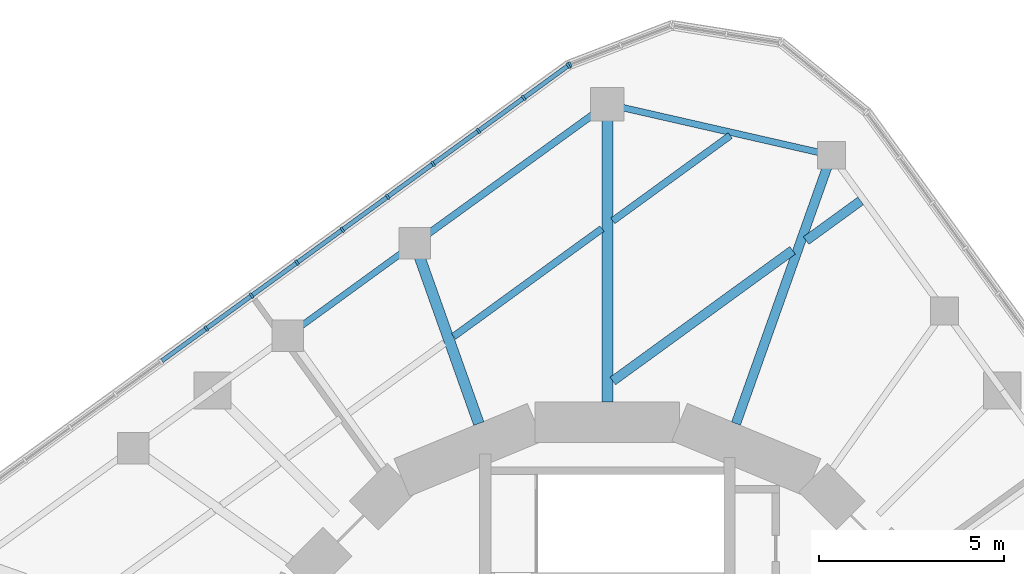
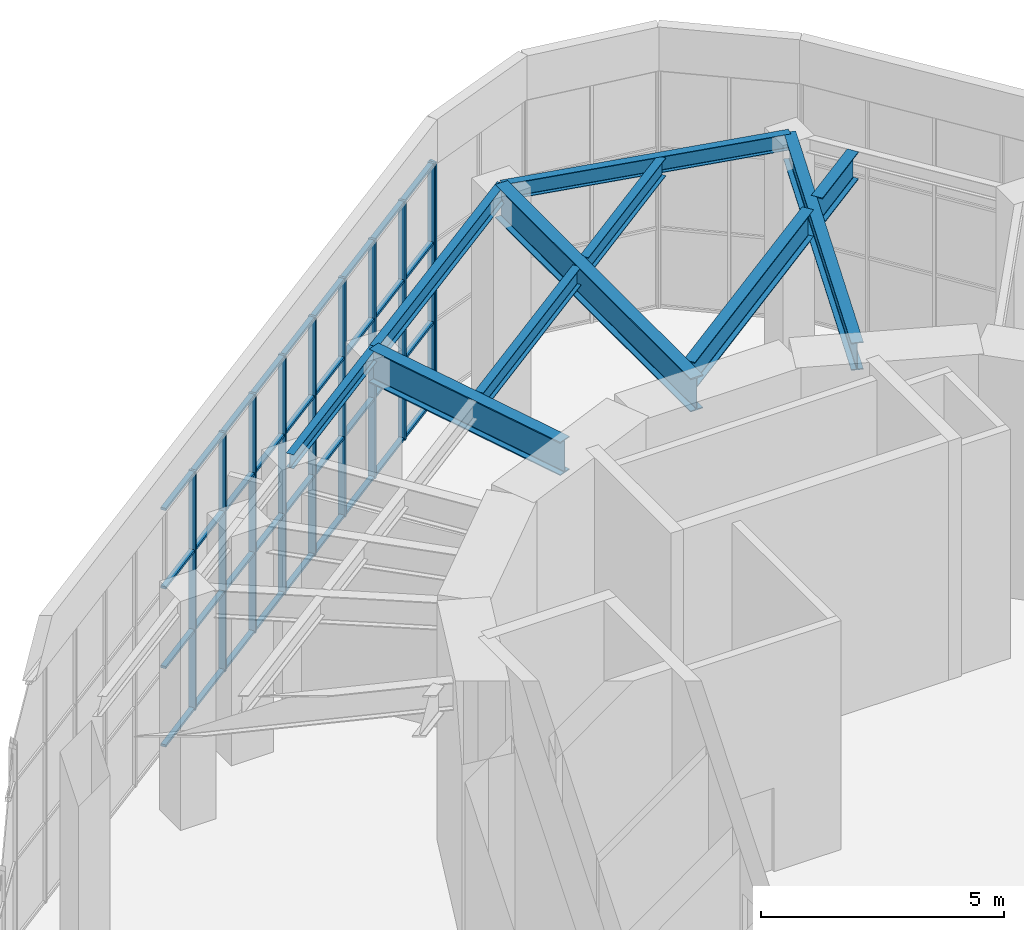
# One storey, part 9 of 17: 46 members, 10 beams, 2 elements without a shape of their own.
"""IFC4 building model written with IfcOpenShell, lengths in metres."""

from ifc_helpers import new_model, si_unit, direction, frame, origin, origin_2d, place, context, subcontext, project, spatial, rectangle, i_section, extrude, material, material_profile, profile_set, type_object, element, aggregate, save


model = new_model("IFC4")

# Units and contexts
model_context = context("Model", 3, precision=1e-05, world=origin(), true_north=direction((0.0, 1.0)))
body_context = subcontext(model_context, "Body", "Model", "MODEL_VIEW")
ifc_project = project(units=[si_unit("LENGTHUNIT", "METRE"), si_unit("AREAUNIT", "SQUARE_METRE"), si_unit("VOLUMEUNIT", "CUBIC_METRE"), si_unit("PLANEANGLEUNIT", "RADIAN"), si_unit("MASSUNIT", "GRAM", prefix="KILO")], contexts=[model_context])

# Site, building, storey
site_placement = place(None, origin())
site = spatial("IfcSite", under=ifc_project, at=site_placement, CompositionType="ELEMENT")
building_placement = place(site_placement, origin())
building = spatial("IfcBuilding", under=site, at=building_placement, Name="Nakasero Lantern House", CompositionType="ELEMENT")
storey_placement = place(building_placement, frame((0.0, 0.0, 304.39990234375)))
storey = spatial("IfcBuildingStorey", under=building, at=storey_placement, Name="L74", CompositionType="ELEMENT", Elevation=304.39990234375)

# Beams
ifc_material_1 = material(Name="Steel S355", Category="steel")
ifc_material_profile_1 = material_profile(ifc_material_1, i_section(OverallWidth=0.19140625, OverallDepth=0.4599609375, WebThickness=0.010009765625, FlangeThickness=0.01611328125, FilletRadius=0.01025390625, at=origin_2d()), Name="UB 457x191x82")
ifc_profile_set_1 = profile_set([ifc_material_profile_1], Name="Steel S355")
beam_type_1 = type_object("IfcBeamType", Name="Infill beam UB 457x191x82", PredefinedType="JOIST", material=ifc_profile_set_1)
beam_1_placement = place(storey_placement, frame((-4.1552734375, 12.122802734375, 5.52001953125), z_axis=(0.809006565484, 0.587799606162, 0.0), x_axis=(-0.587799606162, 0.809006565484, 0.0)))
element("IfcBeam", 1, at=beam_1_placement, inside=storey, type_object=beam_type_1, Name="Infill beam ROOF 10.6", PredefinedType="JOIST", context=body_context, shape_type="SweptSolid", body=[
    extrude(i_section(OverallWidth=0.19140625, OverallDepth=0.4599609375, WebThickness=0.010009765625, FlangeThickness=0.01611328125, FilletRadius=0.01025390625, at=origin_2d()), origin(), (0.0, 0.0, 1.0), 4.95556640625),
])
beam_2_placement = place(storey_placement, frame((0.146240234375, 15.248046875, 5.52001953125), z_axis=(0.809010699188, 0.587793916777, 0.0), x_axis=(-0.587793916777, 0.809010699188, 0.0)))
element("IfcBeam", 2, at=beam_2_placement, inside=storey, type_object=beam_type_1, Name="Infill beam ROOF 10.7", PredefinedType="JOIST", context=body_context, shape_type="SweptSolid", body=[
    extrude(i_section(OverallWidth=0.19140625, OverallDepth=0.4599609375, WebThickness=0.010009765625, FlangeThickness=0.01611328125, FilletRadius=0.01025390625, at=origin_2d()), origin(), (0.0, 0.0, 1.0), 3.920166015625),
])
ifc_material_2 = material(Name="Steel S355", Category="steel")
ifc_material_profile_2 = material_profile(ifc_material_2, i_section(OverallWidth=0.255859375, OverallDepth=0.69287109375, WebThickness=0.014404296875, FlangeThickness=0.023681640625, FilletRadius=0.01513671875, at=origin_2d()), Name="UB 686x254x170")
ifc_profile_set_2 = profile_set([ifc_material_profile_2], Name="Steel S355")
beam_type_2 = type_object("IfcBeamType", Name="Infill beam UB 686x254x170", PredefinedType="JOIST", material=ifc_profile_set_2)
beam_3_placement = place(storey_placement, frame((0.146240234375, 10.921875, 5.403564453125), z_axis=(0.809020946889, 0.587779812085, 0.0), x_axis=(-0.587779812085, 0.809020946889, 0.0)))
element("IfcBeam", 3, at=beam_3_placement, inside=storey, type_object=beam_type_2, Name="Infill beam ROOF 09.3", PredefinedType="JOIST", context=body_context, shape_type="SweptSolid", body=[
    extrude(i_section(OverallWidth=0.255859375, OverallDepth=0.69287109375, WebThickness=0.014404296875, FlangeThickness=0.023681640625, FilletRadius=0.01513671875, at=origin_2d()), origin(), (0.0, 0.0, 1.0), 6.001953125),
])
beam_4_placement = place(storey_placement, frame((5.367919921875, 14.715576171875, 5.403564453125), z_axis=(0.809025740158, 0.587773214566, 0.0), x_axis=(-0.587773214566, 0.809025740158, 0.0)))
element("IfcBeam", 4, at=beam_4_placement, inside=storey, type_object=beam_type_2, Name="Infill beam ROOF 09.4", PredefinedType="JOIST", context=body_context, shape_type="SweptSolid", body=[
    extrude(i_section(OverallWidth=0.255859375, OverallDepth=0.69287109375, WebThickness=0.014404296875, FlangeThickness=0.023681640625, FilletRadius=0.01513671875, at=origin_2d()), origin(), (0.0, 0.0, 1.0), 1.82177734375),
])

# Curtain wall, member
ifc_material_3 = material(Name="Aluminium 6063-T6 and glass", Category="aluminium")
curtain_wall_type = type_object("IfcCurtainWallType", Name="Lantern glazing CW-4", PredefinedType="USERDEFINED", material=ifc_material_3)
curtain_wall_1_placement = place(storey_placement, origin())
curtain_wall_1 = element("IfcCurtainWall", 5, at=curtain_wall_1_placement, inside=storey, type_object=curtain_wall_type, Name="Curtain wall CW-4 L74", ObjectType="UNITISED CURTAIN WALL", PredefinedType="USERDEFINED")
ifc_material_4 = material(Name="Aluminium 6063-T6", Category="aluminium")
ifc_material_profile_3 = material_profile(ifc_material_4, rectangle(XDim=0.06005859375, YDim=0.159912109375, at=origin_2d()), Name="CW-4 mullion 60x160")
ifc_profile_set_3 = profile_set([ifc_material_profile_3], Name="Aluminium 6063-T6")
member_type_1 = type_object("IfcMemberType", Name="Mullion CW-4", PredefinedType="MULLION", material=ifc_profile_set_3)
member_1_placement = place(storey_placement, frame((-1.006591796875, 19.46875, 0.0), z_axis=(0.0, 0.0, 1.0), x_axis=(-0.933580426497, -0.358367949545, 0.0)))
member_1 = element("IfcMember", 6, at=member_1_placement, type_object=member_type_1, Name="CW-4 mullion 3", PredefinedType="MULLION", context=body_context, shape_type="SweptSolid", body=[
    extrude(rectangle(XDim=0.06005859375, YDim=0.159912109375, at=origin_2d()), origin(), (0.0, 0.0, 1.0), 6.0),
])
aggregate(curtain_wall_1, [member_1])

# Curtain wall, members
curtain_wall_2_placement = place(storey_placement, origin())
curtain_wall_2 = element("IfcCurtainWall", 7, at=curtain_wall_2_placement, inside=storey, type_object=curtain_wall_type, Name="Curtain wall CW-4 L74", ObjectType="UNITISED CURTAIN WALL", PredefinedType="USERDEFINED")
member_2_placement = place(storey_placement, frame((-1.05908203125, 19.4404296875, 0.0), z_axis=(0.0, 0.0, 1.0), x_axis=(-0.809016994375, -0.587785252292, 0.0)))
member_2 = element("IfcMember", 8, at=member_2_placement, type_object=member_type_1, Name="CW-4 mullion 1", PredefinedType="MULLION", context=body_context, shape_type="SweptSolid", body=[
    extrude(rectangle(XDim=0.06005859375, YDim=0.159912109375, at=origin_2d()), origin(), (0.0, 0.0, 1.0), 6.0),
])
member_3_placement = place(storey_placement, frame((-2.259765625, 18.56787109375, 0.0), z_axis=(0.0, 0.0, 1.0), x_axis=(-0.809016994375, -0.587785252292, 0.0)))
member_3 = element("IfcMember", 9, at=member_3_placement, type_object=member_type_1, Name="CW-4 mullion 2", PredefinedType="MULLION", context=body_context, shape_type="SweptSolid", body=[
    extrude(rectangle(XDim=0.06005859375, YDim=0.159912109375, at=origin_2d()), origin(), (0.0, 0.0, 1.0), 6.0),
])
member_4_placement = place(storey_placement, frame((-3.48486328125, 17.677734375, 0.0), z_axis=(0.0, 0.0, 1.0), x_axis=(-0.809016994375, -0.587785252292, 0.0)))
member_4 = element("IfcMember", 10, at=member_4_placement, type_object=member_type_1, Name="CW-4 mullion 3", PredefinedType="MULLION", context=body_context, shape_type="SweptSolid", body=[
    extrude(rectangle(XDim=0.06005859375, YDim=0.159912109375, at=origin_2d()), origin(), (0.0, 0.0, 1.0), 6.0),
])
member_5_placement = place(storey_placement, frame((-4.7099609375, 16.787841796875, 0.0), z_axis=(0.0, 0.0, 1.0), x_axis=(-0.809016994375, -0.587785252292, 0.0)))
member_5 = element("IfcMember", 11, at=member_5_placement, type_object=member_type_1, Name="CW-4 mullion 4", PredefinedType="MULLION", context=body_context, shape_type="SweptSolid", body=[
    extrude(rectangle(XDim=0.06005859375, YDim=0.159912109375, at=origin_2d()), origin(), (0.0, 0.0, 1.0), 6.0),
])
member_6_placement = place(storey_placement, frame((-5.93505859375, 15.897705078125, 0.0), z_axis=(0.0, 0.0, 1.0), x_axis=(-0.809016994375, -0.587785252292, 0.0)))
member_6 = element("IfcMember", 12, at=member_6_placement, type_object=member_type_1, Name="CW-4 mullion 5", PredefinedType="MULLION", context=body_context, shape_type="SweptSolid", body=[
    extrude(rectangle(XDim=0.06005859375, YDim=0.159912109375, at=origin_2d()), origin(), (0.0, 0.0, 1.0), 6.0),
])
member_7_placement = place(storey_placement, frame((-7.16015625, 15.007568359375, 0.0), z_axis=(0.0, 0.0, 1.0), x_axis=(-0.809016994375, -0.587785252292, 0.0)))
member_7 = element("IfcMember", 13, at=member_7_placement, type_object=member_type_1, Name="CW-4 mullion 6", PredefinedType="MULLION", context=body_context, shape_type="SweptSolid", body=[
    extrude(rectangle(XDim=0.06005859375, YDim=0.159912109375, at=origin_2d()), origin(), (0.0, 0.0, 1.0), 6.0),
])
member_8_placement = place(storey_placement, frame((-8.38525390625, 14.117431640625, 0.0), z_axis=(0.0, 0.0, 1.0), x_axis=(-0.809016994375, -0.587785252292, 0.0)))
member_8 = element("IfcMember", 14, at=member_8_placement, type_object=member_type_1, Name="CW-4 mullion 7", PredefinedType="MULLION", context=body_context, shape_type="SweptSolid", body=[
    extrude(rectangle(XDim=0.06005859375, YDim=0.159912109375, at=origin_2d()), origin(), (0.0, 0.0, 1.0), 6.0),
])
member_9_placement = place(storey_placement, frame((-9.6103515625, 13.2275390625, 0.0), z_axis=(0.0, 0.0, 1.0), x_axis=(-0.809016994375, -0.587785252292, 0.0)))
member_9 = element("IfcMember", 15, at=member_9_placement, type_object=member_type_1, Name="CW-4 mullion 8", PredefinedType="MULLION", context=body_context, shape_type="SweptSolid", body=[
    extrude(rectangle(XDim=0.06005859375, YDim=0.159912109375, at=origin_2d()), origin(), (0.0, 0.0, 1.0), 6.0),
])
member_10_placement = place(storey_placement, frame((-10.83544921875, 12.33740234375, 0.0), z_axis=(0.0, 0.0, 1.0), x_axis=(-0.809016994375, -0.587785252292, 0.0)))
member_10 = element("IfcMember", 16, at=member_10_placement, type_object=member_type_1, Name="CW-4 mullion 9", PredefinedType="MULLION", context=body_context, shape_type="SweptSolid", body=[
    extrude(rectangle(XDim=0.06005859375, YDim=0.159912109375, at=origin_2d()), origin(), (0.0, 0.0, 1.0), 6.0),
])

# Beams
ifc_material_5 = material(Name="Steel S355", Category="steel")
ifc_material_profile_4 = material_profile(ifc_material_5, i_section(OverallWidth=0.255859375, OverallDepth=0.69287109375, WebThickness=0.014404296875, FlangeThickness=0.023681640625, FilletRadius=0.01513671875, at=origin_2d()), Name="UB 686x254x170")
ifc_profile_set_4 = profile_set([ifc_material_profile_4], Name="Steel S355")
beam_type_3 = type_object("IfcBeamType", Name="Primary beam UB 686x254x170, span 6 to 9 m", PredefinedType="BEAM", material=ifc_profile_set_4)
beam_5_placement = place(storey_placement, frame((6.051513671875, 17.02001953125, 5.403564453125), z_axis=(-0.334989005521, -0.942222036561, 0.0), x_axis=(0.942222036561, -0.334989005521, 0.0)))
element("IfcBeam", 17, at=beam_5_placement, inside=storey, type_object=beam_type_3, Name="Primary beam ROOF B7-C08", PredefinedType="BEAM", context=body_context, shape_type="SweptSolid", body=[
    extrude(i_section(OverallWidth=0.255859375, OverallDepth=0.69287109375, WebThickness=0.014404296875, FlangeThickness=0.023681640625, FilletRadius=0.01513671875, at=origin_2d()), origin(), (0.0, 0.0, 1.0), 7.6923828125),
])
ifc_material_6 = material(Name="Steel S355", Category="steel")
ifc_material_profile_5 = material_profile(ifc_material_6, i_section(OverallWidth=0.29248046875, OverallDepth=0.8408203125, WebThickness=0.0146484375, FlangeThickness=0.02685546875, FilletRadius=0.017822265625, at=origin_2d()), Name="UB 838x292x194")
ifc_profile_set_5 = profile_set([ifc_material_profile_5], Name="Steel S355")
beam_type_4 = type_object("IfcBeamType", Name="Primary beam UB 838x292x194, span 6 to 9 m", PredefinedType="BEAM", material=ifc_profile_set_5)
beam_6_placement = place(storey_placement, frame((0.0, 18.39990234375, 5.329833984375), z_axis=(0.0, -1.0, 0.0), x_axis=(1.0, 0.0, 0.0)))
element("IfcBeam", 18, at=beam_6_placement, inside=storey, type_object=beam_type_4, Name="Primary beam ROOF B7-C09", PredefinedType="BEAM", context=body_context, shape_type="SweptSolid", body=[
    extrude(i_section(OverallWidth=0.29248046875, OverallDepth=0.8408203125, WebThickness=0.0146484375, FlangeThickness=0.02685546875, FilletRadius=0.017822265625, at=origin_2d()), origin(), (0.0, 0.0, 1.0), 8.0419921875),
])
ifc_material_7 = material(Name="Steel S355", Category="steel")
ifc_material_profile_6 = material_profile(ifc_material_7, i_section(OverallWidth=0.29248046875, OverallDepth=0.8408203125, WebThickness=0.0146484375, FlangeThickness=0.02685546875, FilletRadius=0.017822265625, at=origin_2d()), Name="UB 838x292x194")
ifc_profile_set_6 = profile_set([ifc_material_profile_6], Name="Steel S355")
beam_type_5 = type_object("IfcBeamType", Name="Primary beam UB 838x292x194, span to 6 m", PredefinedType="BEAM", material=ifc_profile_set_6)
beam_7_placement = place(storey_placement, frame((-5.2041015625, 14.636474609375, 5.329833984375), z_axis=(0.3349910093, -0.942221324153, 0.0), x_axis=(0.942221324153, 0.3349910093, 0.0)))
element("IfcBeam", 19, at=beam_7_placement, inside=storey, type_object=beam_type_5, Name="Primary beam ROOF B7-C10", PredefinedType="BEAM", context=body_context, shape_type="SweptSolid", body=[
    extrude(i_section(OverallWidth=0.29248046875, OverallDepth=0.8408203125, WebThickness=0.0146484375, FlangeThickness=0.02685546875, FilletRadius=0.017822265625, at=origin_2d()), origin(), (0.0, 0.0, 1.0), 5.162841796875),
])
ifc_material_8 = material(Name="Steel S355", Category="steel")
ifc_material_profile_7 = material_profile(ifc_material_8, i_section(OverallWidth=0.17138671875, OverallDepth=0.35498046875, WebThickness=0.00732421875, FlangeThickness=0.011474609375, FilletRadius=0.01025390625, at=origin_2d()), Name="UB 356x171x51")
ifc_profile_set_7 = profile_set([ifc_material_profile_7], Name="Steel S355")
beam_type_6 = type_object("IfcBeamType", Name="Ring beam UB 356x171x51", PredefinedType="BEAM", material=ifc_profile_set_7)
beam_8_placement = place(storey_placement, frame((-5.2041015625, 14.636474609375, 5.572509765625), z_axis=(-0.809012304944, -0.587791706687, 0.0), x_axis=(0.587791706687, -0.809012304944, 0.0)))
element("IfcBeam", 20, at=beam_8_placement, inside=storey, type_object=beam_type_6, Name="Ring beam ROOF B7-C10", PredefinedType="BEAM", context=body_context, shape_type="SweptSolid", body=[
    extrude(i_section(OverallWidth=0.17138671875, OverallDepth=0.35498046875, WebThickness=0.00732421875, FlangeThickness=0.011474609375, FilletRadius=0.01025390625, at=origin_2d()), origin(), (0.0, 0.0, 1.0), 4.2412109375),
])
ifc_material_9 = material(Name="Steel S355", Category="steel")
ifc_material_profile_8 = material_profile(ifc_material_9, i_section(OverallWidth=0.177978515625, OverallDepth=0.406494140625, WebThickness=0.0078125, FlangeThickness=0.0126953125, FilletRadius=0.01025390625, at=origin_2d()), Name="UB 406x178x60")
ifc_profile_set_8 = profile_set([ifc_material_profile_8], Name="Steel S355")
beam_type_7 = type_object("IfcBeamType", Name="Ring beam UB 406x178x60", PredefinedType="BEAM", material=ifc_profile_set_8)
beam_9_placement = place(storey_placement, frame((6.051513671875, 17.02001953125, 5.546875), z_axis=(-0.974974575944, 0.222316387753, 0.0), x_axis=(-0.222316387753, -0.974974575944, 0.0)))
element("IfcBeam", 21, at=beam_9_placement, inside=storey, type_object=beam_type_7, Name="Ring beam ROOF B7-C08", PredefinedType="BEAM", context=body_context, shape_type="SweptSolid", body=[
    extrude(i_section(OverallWidth=0.177978515625, OverallDepth=0.406494140625, WebThickness=0.0078125, FlangeThickness=0.0126953125, FilletRadius=0.01025390625, at=origin_2d()), origin(), (0.0, 0.0, 1.0), 6.206787109375),
])
ifc_material_10 = material(Name="Steel S355", Category="steel")
ifc_material_profile_9 = material_profile(ifc_material_10, i_section(OverallWidth=0.18994140625, OverallDepth=0.453369140625, WebThickness=0.008544921875, FlangeThickness=0.0126953125, FilletRadius=0.01025390625, at=origin_2d()), Name="UB 457x191x67")
ifc_profile_set_9 = profile_set([ifc_material_profile_9], Name="Steel S355")
beam_type_8 = type_object("IfcBeamType", Name="Ring beam UB 457x191x67", PredefinedType="BEAM", material=ifc_profile_set_9)
beam_10_placement = place(storey_placement, frame((0.0, 18.39990234375, 5.5234375), z_axis=(-0.810316200404, -0.58599287996, 0.0), x_axis=(0.58599287996, -0.810316200404, 0.0)))
element("IfcBeam", 22, at=beam_10_placement, inside=storey, type_object=beam_type_8, Name="Ring beam ROOF B7-C09", PredefinedType="BEAM", context=body_context, shape_type="SweptSolid", body=[
    extrude(i_section(OverallWidth=0.18994140625, OverallDepth=0.453369140625, WebThickness=0.008544921875, FlangeThickness=0.0126953125, FilletRadius=0.01025390625, at=origin_2d()), origin(), (0.0, 0.0, 1.0), 6.42236328125),
])

# Member
ifc_material_11 = material(Name="Aluminium 6063-T6", Category="aluminium")
ifc_material_profile_10 = material_profile(ifc_material_11, rectangle(XDim=0.06005859375, YDim=0.1201171875, at=origin_2d()), Name="CW-4 transom 60x120")
ifc_profile_set_10 = profile_set([ifc_material_profile_10], Name="Aluminium 6063-T6")
member_type_2 = type_object("IfcMemberType", Name="Transom CW-4", PredefinedType="USERDEFINED", material=ifc_profile_set_10)
member_11_placement = place(storey_placement, frame((-1.083251953125, 19.422607421875, 0.030029296875), z_axis=(-0.809039875893, -0.587753757296, 0.0), x_axis=(0.0, 0.0, 1.0)))
member_11 = element("IfcMember", 23, at=member_11_placement, type_object=member_type_2, Name="CW-4 transom 1.1", ObjectType="TRANSOM", PredefinedType="USERDEFINED", context=body_context, shape_type="SweptSolid", body=[
    extrude(rectangle(XDim=0.06005859375, YDim=0.1201171875, at=origin_2d()), origin(), (0.0, 0.0, 1.0), 1.42431640625),
])

member_12_placement = place(storey_placement, frame((-1.083251953125, 19.422607421875, 2.0), z_axis=(-0.809039875893, -0.587753757296, 0.0), x_axis=(0.0, 0.0, 1.0)))
member_12 = element("IfcMember", 24, at=member_12_placement, type_object=member_type_2, Name="CW-4 transom 1.2", ObjectType="TRANSOM", PredefinedType="USERDEFINED", context=body_context, shape_type="SweptSolid", body=[
    extrude(rectangle(XDim=0.06005859375, YDim=0.1201171875, at=origin_2d()), origin(), (0.0, 0.0, 1.0), 1.42431640625),
])

member_13_placement = place(storey_placement, frame((-1.083251953125, 19.422607421875, 4.0), z_axis=(-0.809039875893, -0.587753757296, 0.0), x_axis=(0.0, 0.0, 1.0)))
member_13 = element("IfcMember", 25, at=member_13_placement, type_object=member_type_2, Name="CW-4 transom 1.3", ObjectType="TRANSOM", PredefinedType="USERDEFINED", context=body_context, shape_type="SweptSolid", body=[
    extrude(rectangle(XDim=0.06005859375, YDim=0.1201171875, at=origin_2d()), origin(), (0.0, 0.0, 1.0), 1.42431640625),
])

member_14_placement = place(storey_placement, frame((-1.083251953125, 19.422607421875, 5.97021484375), z_axis=(-0.809039875893, -0.587753757296, 0.0), x_axis=(0.0, 0.0, 1.0)))
member_14 = element("IfcMember", 26, at=member_14_placement, type_object=member_type_2, Name="CW-4 transom 1.4", ObjectType="TRANSOM", PredefinedType="USERDEFINED", context=body_context, shape_type="SweptSolid", body=[
    extrude(rectangle(XDim=0.06005859375, YDim=0.1201171875, at=origin_2d()), origin(), (0.0, 0.0, 1.0), 1.42431640625),
])

member_15_placement = place(storey_placement, frame((-2.2841796875, 18.55029296875, 0.030029296875), z_axis=(-0.809033634773, -0.587762348068, 0.0), x_axis=(0.0, 0.0, 1.0)))
member_15 = element("IfcMember", 27, at=member_15_placement, type_object=member_type_2, Name="CW-4 transom 2.1", ObjectType="TRANSOM", PredefinedType="USERDEFINED", context=body_context, shape_type="SweptSolid", body=[
    extrude(rectangle(XDim=0.06005859375, YDim=0.1201171875, at=origin_2d()), origin(), (0.0, 0.0, 1.0), 1.4541015625),
])

member_16_placement = place(storey_placement, frame((-2.2841796875, 18.55029296875, 2.0), z_axis=(-0.809033634773, -0.587762348068, 0.0), x_axis=(0.0, 0.0, 1.0)))
member_16 = element("IfcMember", 28, at=member_16_placement, type_object=member_type_2, Name="CW-4 transom 2.2", ObjectType="TRANSOM", PredefinedType="USERDEFINED", context=body_context, shape_type="SweptSolid", body=[
    extrude(rectangle(XDim=0.06005859375, YDim=0.1201171875, at=origin_2d()), origin(), (0.0, 0.0, 1.0), 1.4541015625),
])

member_17_placement = place(storey_placement, frame((-2.2841796875, 18.55029296875, 4.0), z_axis=(-0.809033634773, -0.587762348068, 0.0), x_axis=(0.0, 0.0, 1.0)))
member_17 = element("IfcMember", 29, at=member_17_placement, type_object=member_type_2, Name="CW-4 transom 2.3", ObjectType="TRANSOM", PredefinedType="USERDEFINED", context=body_context, shape_type="SweptSolid", body=[
    extrude(rectangle(XDim=0.06005859375, YDim=0.1201171875, at=origin_2d()), origin(), (0.0, 0.0, 1.0), 1.4541015625),
])

member_18_placement = place(storey_placement, frame((-2.2841796875, 18.55029296875, 5.97021484375), z_axis=(-0.809033634773, -0.587762348068, 0.0), x_axis=(0.0, 0.0, 1.0)))
member_18 = element("IfcMember", 30, at=member_18_placement, type_object=member_type_2, Name="CW-4 transom 2.4", ObjectType="TRANSOM", PredefinedType="USERDEFINED", context=body_context, shape_type="SweptSolid", body=[
    extrude(rectangle(XDim=0.06005859375, YDim=0.1201171875, at=origin_2d()), origin(), (0.0, 0.0, 1.0), 1.4541015625),
])

member_19_placement = place(storey_placement, frame((-3.509033203125, 17.66015625, 0.030029296875), z_axis=(-0.809091620979, -0.587682523869, 0.0), x_axis=(0.0, 0.0, 1.0)))
member_19 = element("IfcMember", 31, at=member_19_placement, type_object=member_type_2, Name="CW-4 transom 3.1", ObjectType="TRANSOM", PredefinedType="USERDEFINED", context=body_context, shape_type="SweptSolid", body=[
    extrude(rectangle(XDim=0.06005859375, YDim=0.1201171875, at=origin_2d()), origin(), (0.0, 0.0, 1.0), 1.454345703125),
])

member_20_placement = place(storey_placement, frame((-3.509033203125, 17.66015625, 2.0), z_axis=(-0.809091620979, -0.587682523869, 0.0), x_axis=(0.0, 0.0, 1.0)))
member_20 = element("IfcMember", 32, at=member_20_placement, type_object=member_type_2, Name="CW-4 transom 3.2", ObjectType="TRANSOM", PredefinedType="USERDEFINED", context=body_context, shape_type="SweptSolid", body=[
    extrude(rectangle(XDim=0.06005859375, YDim=0.1201171875, at=origin_2d()), origin(), (0.0, 0.0, 1.0), 1.454345703125),
])

member_21_placement = place(storey_placement, frame((-3.509033203125, 17.66015625, 4.0), z_axis=(-0.809091620979, -0.587682523869, 0.0), x_axis=(0.0, 0.0, 1.0)))
member_21 = element("IfcMember", 33, at=member_21_placement, type_object=member_type_2, Name="CW-4 transom 3.3", ObjectType="TRANSOM", PredefinedType="USERDEFINED", context=body_context, shape_type="SweptSolid", body=[
    extrude(rectangle(XDim=0.06005859375, YDim=0.1201171875, at=origin_2d()), origin(), (0.0, 0.0, 1.0), 1.454345703125),
])

member_22_placement = place(storey_placement, frame((-3.509033203125, 17.66015625, 5.97021484375), z_axis=(-0.809091620979, -0.587682523869, 0.0), x_axis=(0.0, 0.0, 1.0)))
member_22 = element("IfcMember", 34, at=member_22_placement, type_object=member_type_2, Name="CW-4 transom 3.4", ObjectType="TRANSOM", PredefinedType="USERDEFINED", context=body_context, shape_type="SweptSolid", body=[
    extrude(rectangle(XDim=0.06005859375, YDim=0.1201171875, at=origin_2d()), origin(), (0.0, 0.0, 1.0), 1.454345703125),
])

member_23_placement = place(storey_placement, frame((-4.734130859375, 16.77001953125, 0.030029296875), z_axis=(-0.809091620979, -0.587682523869, 0.0), x_axis=(0.0, 0.0, 1.0)))
member_23 = element("IfcMember", 35, at=member_23_placement, type_object=member_type_2, Name="CW-4 transom 4.1", ObjectType="TRANSOM", PredefinedType="USERDEFINED", context=body_context, shape_type="SweptSolid", body=[
    extrude(rectangle(XDim=0.06005859375, YDim=0.1201171875, at=origin_2d()), origin(), (0.0, 0.0, 1.0), 1.454345703125),
])

member_24_placement = place(storey_placement, frame((-4.734130859375, 16.77001953125, 2.0), z_axis=(-0.809091620979, -0.587682523869, 0.0), x_axis=(0.0, 0.0, 1.0)))
member_24 = element("IfcMember", 36, at=member_24_placement, type_object=member_type_2, Name="CW-4 transom 4.2", ObjectType="TRANSOM", PredefinedType="USERDEFINED", context=body_context, shape_type="SweptSolid", body=[
    extrude(rectangle(XDim=0.06005859375, YDim=0.1201171875, at=origin_2d()), origin(), (0.0, 0.0, 1.0), 1.454345703125),
])

member_25_placement = place(storey_placement, frame((-4.734130859375, 16.77001953125, 4.0), z_axis=(-0.809091620979, -0.587682523869, 0.0), x_axis=(0.0, 0.0, 1.0)))
member_25 = element("IfcMember", 37, at=member_25_placement, type_object=member_type_2, Name="CW-4 transom 4.3", ObjectType="TRANSOM", PredefinedType="USERDEFINED", context=body_context, shape_type="SweptSolid", body=[
    extrude(rectangle(XDim=0.06005859375, YDim=0.1201171875, at=origin_2d()), origin(), (0.0, 0.0, 1.0), 1.454345703125),
])

member_26_placement = place(storey_placement, frame((-4.734130859375, 16.77001953125, 5.97021484375), z_axis=(-0.809091620979, -0.587682523869, 0.0), x_axis=(0.0, 0.0, 1.0)))
member_26 = element("IfcMember", 38, at=member_26_placement, type_object=member_type_2, Name="CW-4 transom 4.4", ObjectType="TRANSOM", PredefinedType="USERDEFINED", context=body_context, shape_type="SweptSolid", body=[
    extrude(rectangle(XDim=0.06005859375, YDim=0.1201171875, at=origin_2d()), origin(), (0.0, 0.0, 1.0), 1.454345703125),
])

member_27_placement = place(storey_placement, frame((-5.959228515625, 15.880126953125, 0.030029296875), z_axis=(-0.808953803009, -0.587872217916, 0.0), x_axis=(0.0, 0.0, 1.0)))
member_27 = element("IfcMember", 39, at=member_27_placement, type_object=member_type_2, Name="CW-4 transom 5.1", ObjectType="TRANSOM", PredefinedType="USERDEFINED", context=body_context, shape_type="SweptSolid", body=[
    extrude(rectangle(XDim=0.06005859375, YDim=0.1201171875, at=origin_2d()), origin(), (0.0, 0.0, 1.0), 1.454345703125),
])

member_28_placement = place(storey_placement, frame((-5.959228515625, 15.880126953125, 2.0), z_axis=(-0.808953803009, -0.587872217916, 0.0), x_axis=(0.0, 0.0, 1.0)))
member_28 = element("IfcMember", 40, at=member_28_placement, type_object=member_type_2, Name="CW-4 transom 5.2", ObjectType="TRANSOM", PredefinedType="USERDEFINED", context=body_context, shape_type="SweptSolid", body=[
    extrude(rectangle(XDim=0.06005859375, YDim=0.1201171875, at=origin_2d()), origin(), (0.0, 0.0, 1.0), 1.454345703125),
])

member_29_placement = place(storey_placement, frame((-5.959228515625, 15.880126953125, 4.0), z_axis=(-0.808953803009, -0.587872217916, 0.0), x_axis=(0.0, 0.0, 1.0)))
member_29 = element("IfcMember", 41, at=member_29_placement, type_object=member_type_2, Name="CW-4 transom 5.3", ObjectType="TRANSOM", PredefinedType="USERDEFINED", context=body_context, shape_type="SweptSolid", body=[
    extrude(rectangle(XDim=0.06005859375, YDim=0.1201171875, at=origin_2d()), origin(), (0.0, 0.0, 1.0), 1.454345703125),
])

member_30_placement = place(storey_placement, frame((-5.959228515625, 15.880126953125, 5.97021484375), z_axis=(-0.808953803009, -0.587872217916, 0.0), x_axis=(0.0, 0.0, 1.0)))
member_30 = element("IfcMember", 42, at=member_30_placement, type_object=member_type_2, Name="CW-4 transom 5.4", ObjectType="TRANSOM", PredefinedType="USERDEFINED", context=body_context, shape_type="SweptSolid", body=[
    extrude(rectangle(XDim=0.06005859375, YDim=0.1201171875, at=origin_2d()), origin(), (0.0, 0.0, 1.0), 1.454345703125),
])

member_31_placement = place(storey_placement, frame((-7.184326171875, 14.989990234375, 0.030029296875), z_axis=(-0.809033634773, -0.587762348068, 0.0), x_axis=(0.0, 0.0, 1.0)))
member_31 = element("IfcMember", 43, at=member_31_placement, type_object=member_type_2, Name="CW-4 transom 6.1", ObjectType="TRANSOM", PredefinedType="USERDEFINED", context=body_context, shape_type="SweptSolid", body=[
    extrude(rectangle(XDim=0.06005859375, YDim=0.1201171875, at=origin_2d()), origin(), (0.0, 0.0, 1.0), 1.4541015625),
])

member_32_placement = place(storey_placement, frame((-7.184326171875, 14.989990234375, 2.0), z_axis=(-0.809033634773, -0.587762348068, 0.0), x_axis=(0.0, 0.0, 1.0)))
member_32 = element("IfcMember", 44, at=member_32_placement, type_object=member_type_2, Name="CW-4 transom 6.2", ObjectType="TRANSOM", PredefinedType="USERDEFINED", context=body_context, shape_type="SweptSolid", body=[
    extrude(rectangle(XDim=0.06005859375, YDim=0.1201171875, at=origin_2d()), origin(), (0.0, 0.0, 1.0), 1.4541015625),
])

member_33_placement = place(storey_placement, frame((-7.184326171875, 14.989990234375, 4.0), z_axis=(-0.809033634773, -0.587762348068, 0.0), x_axis=(0.0, 0.0, 1.0)))
member_33 = element("IfcMember", 45, at=member_33_placement, type_object=member_type_2, Name="CW-4 transom 6.3", ObjectType="TRANSOM", PredefinedType="USERDEFINED", context=body_context, shape_type="SweptSolid", body=[
    extrude(rectangle(XDim=0.06005859375, YDim=0.1201171875, at=origin_2d()), origin(), (0.0, 0.0, 1.0), 1.4541015625),
])

member_34_placement = place(storey_placement, frame((-7.184326171875, 14.989990234375, 5.97021484375), z_axis=(-0.809033634773, -0.587762348068, 0.0), x_axis=(0.0, 0.0, 1.0)))
member_34 = element("IfcMember", 46, at=member_34_placement, type_object=member_type_2, Name="CW-4 transom 6.4", ObjectType="TRANSOM", PredefinedType="USERDEFINED", context=body_context, shape_type="SweptSolid", body=[
    extrude(rectangle(XDim=0.06005859375, YDim=0.1201171875, at=origin_2d()), origin(), (0.0, 0.0, 1.0), 1.4541015625),
])

member_35_placement = place(storey_placement, frame((-8.409423828125, 14.099853515625, 0.030029296875), z_axis=(-0.809033634773, -0.587762348068, 0.0), x_axis=(0.0, 0.0, 1.0)))
member_35 = element("IfcMember", 47, at=member_35_placement, type_object=member_type_2, Name="CW-4 transom 7.1", ObjectType="TRANSOM", PredefinedType="USERDEFINED", context=body_context, shape_type="SweptSolid", body=[
    extrude(rectangle(XDim=0.06005859375, YDim=0.1201171875, at=origin_2d()), origin(), (0.0, 0.0, 1.0), 1.4541015625),
])

member_36_placement = place(storey_placement, frame((-8.409423828125, 14.099853515625, 2.0), z_axis=(-0.809033634773, -0.587762348068, 0.0), x_axis=(0.0, 0.0, 1.0)))
member_36 = element("IfcMember", 48, at=member_36_placement, type_object=member_type_2, Name="CW-4 transom 7.2", ObjectType="TRANSOM", PredefinedType="USERDEFINED", context=body_context, shape_type="SweptSolid", body=[
    extrude(rectangle(XDim=0.06005859375, YDim=0.1201171875, at=origin_2d()), origin(), (0.0, 0.0, 1.0), 1.4541015625),
])

member_37_placement = place(storey_placement, frame((-8.409423828125, 14.099853515625, 4.0), z_axis=(-0.809033634773, -0.587762348068, 0.0), x_axis=(0.0, 0.0, 1.0)))
member_37 = element("IfcMember", 49, at=member_37_placement, type_object=member_type_2, Name="CW-4 transom 7.3", ObjectType="TRANSOM", PredefinedType="USERDEFINED", context=body_context, shape_type="SweptSolid", body=[
    extrude(rectangle(XDim=0.06005859375, YDim=0.1201171875, at=origin_2d()), origin(), (0.0, 0.0, 1.0), 1.4541015625),
])

member_38_placement = place(storey_placement, frame((-8.409423828125, 14.099853515625, 5.97021484375), z_axis=(-0.809033634773, -0.587762348068, 0.0), x_axis=(0.0, 0.0, 1.0)))
member_38 = element("IfcMember", 50, at=member_38_placement, type_object=member_type_2, Name="CW-4 transom 7.4", ObjectType="TRANSOM", PredefinedType="USERDEFINED", context=body_context, shape_type="SweptSolid", body=[
    extrude(rectangle(XDim=0.06005859375, YDim=0.1201171875, at=origin_2d()), origin(), (0.0, 0.0, 1.0), 1.4541015625),
])

member_39_placement = place(storey_placement, frame((-9.634521484375, 13.209716796875, 0.030029296875), z_axis=(-0.809033634773, -0.587762348068, 0.0), x_axis=(0.0, 0.0, 1.0)))
member_39 = element("IfcMember", 51, at=member_39_placement, type_object=member_type_2, Name="CW-4 transom 8.1", ObjectType="TRANSOM", PredefinedType="USERDEFINED", context=body_context, shape_type="SweptSolid", body=[
    extrude(rectangle(XDim=0.06005859375, YDim=0.1201171875, at=origin_2d()), origin(), (0.0, 0.0, 1.0), 1.4541015625),
])

member_40_placement = place(storey_placement, frame((-9.634521484375, 13.209716796875, 2.0), z_axis=(-0.809033634773, -0.587762348068, 0.0), x_axis=(0.0, 0.0, 1.0)))
member_40 = element("IfcMember", 52, at=member_40_placement, type_object=member_type_2, Name="CW-4 transom 8.2", ObjectType="TRANSOM", PredefinedType="USERDEFINED", context=body_context, shape_type="SweptSolid", body=[
    extrude(rectangle(XDim=0.06005859375, YDim=0.1201171875, at=origin_2d()), origin(), (0.0, 0.0, 1.0), 1.4541015625),
])

member_41_placement = place(storey_placement, frame((-9.634521484375, 13.209716796875, 4.0), z_axis=(-0.809033634773, -0.587762348068, 0.0), x_axis=(0.0, 0.0, 1.0)))
member_41 = element("IfcMember", 53, at=member_41_placement, type_object=member_type_2, Name="CW-4 transom 8.3", ObjectType="TRANSOM", PredefinedType="USERDEFINED", context=body_context, shape_type="SweptSolid", body=[
    extrude(rectangle(XDim=0.06005859375, YDim=0.1201171875, at=origin_2d()), origin(), (0.0, 0.0, 1.0), 1.4541015625),
])

member_42_placement = place(storey_placement, frame((-9.634521484375, 13.209716796875, 5.97021484375), z_axis=(-0.809033634773, -0.587762348068, 0.0), x_axis=(0.0, 0.0, 1.0)))
member_42 = element("IfcMember", 54, at=member_42_placement, type_object=member_type_2, Name="CW-4 transom 8.4", ObjectType="TRANSOM", PredefinedType="USERDEFINED", context=body_context, shape_type="SweptSolid", body=[
    extrude(rectangle(XDim=0.06005859375, YDim=0.1201171875, at=origin_2d()), origin(), (0.0, 0.0, 1.0), 1.4541015625),
])

member_43_placement = place(storey_placement, frame((-10.859619140625, 12.31982421875, 0.030029296875), z_axis=(-0.808953803009, -0.587872217916, 0.0), x_axis=(0.0, 0.0, 1.0)))
member_43 = element("IfcMember", 55, at=member_43_placement, type_object=member_type_2, Name="CW-4 transom 9.1", ObjectType="TRANSOM", PredefinedType="USERDEFINED", context=body_context, shape_type="SweptSolid", body=[
    extrude(rectangle(XDim=0.06005859375, YDim=0.1201171875, at=origin_2d()), origin(), (0.0, 0.0, 1.0), 1.454345703125),
])

member_44_placement = place(storey_placement, frame((-10.859619140625, 12.31982421875, 2.0), z_axis=(-0.808953803009, -0.587872217916, 0.0), x_axis=(0.0, 0.0, 1.0)))
member_44 = element("IfcMember", 56, at=member_44_placement, type_object=member_type_2, Name="CW-4 transom 9.2", ObjectType="TRANSOM", PredefinedType="USERDEFINED", context=body_context, shape_type="SweptSolid", body=[
    extrude(rectangle(XDim=0.06005859375, YDim=0.1201171875, at=origin_2d()), origin(), (0.0, 0.0, 1.0), 1.454345703125),
])

member_45_placement = place(storey_placement, frame((-10.859619140625, 12.31982421875, 4.0), z_axis=(-0.808953803009, -0.587872217916, 0.0), x_axis=(0.0, 0.0, 1.0)))
member_45 = element("IfcMember", 57, at=member_45_placement, type_object=member_type_2, Name="CW-4 transom 9.3", ObjectType="TRANSOM", PredefinedType="USERDEFINED", context=body_context, shape_type="SweptSolid", body=[
    extrude(rectangle(XDim=0.06005859375, YDim=0.1201171875, at=origin_2d()), origin(), (0.0, 0.0, 1.0), 1.454345703125),
])

member_46_placement = place(storey_placement, frame((-10.859619140625, 12.31982421875, 5.97021484375), z_axis=(-0.808953803009, -0.587872217916, 0.0), x_axis=(0.0, 0.0, 1.0)))
member_46 = element("IfcMember", 58, at=member_46_placement, type_object=member_type_2, Name="CW-4 transom 9.4", ObjectType="TRANSOM", PredefinedType="USERDEFINED", context=body_context, shape_type="SweptSolid", body=[
    extrude(rectangle(XDim=0.06005859375, YDim=0.1201171875, at=origin_2d()), origin(), (0.0, 0.0, 1.0), 1.454345703125),
])

aggregate(curtain_wall_2, [member_2, member_3, member_4, member_5, member_6, member_7, member_8, member_9, member_10, member_11, member_12, member_13, member_14, member_15, member_16, member_17, member_18, member_19, member_20, member_21, member_22, member_23, member_24, member_25, member_26, member_27, member_28, member_29, member_30, member_31, member_32, member_33, member_34, member_35, member_36, member_37, member_38, member_39, member_40, member_41, member_42, member_43, member_44, member_45, member_46])

save(model, "model.ifc")
